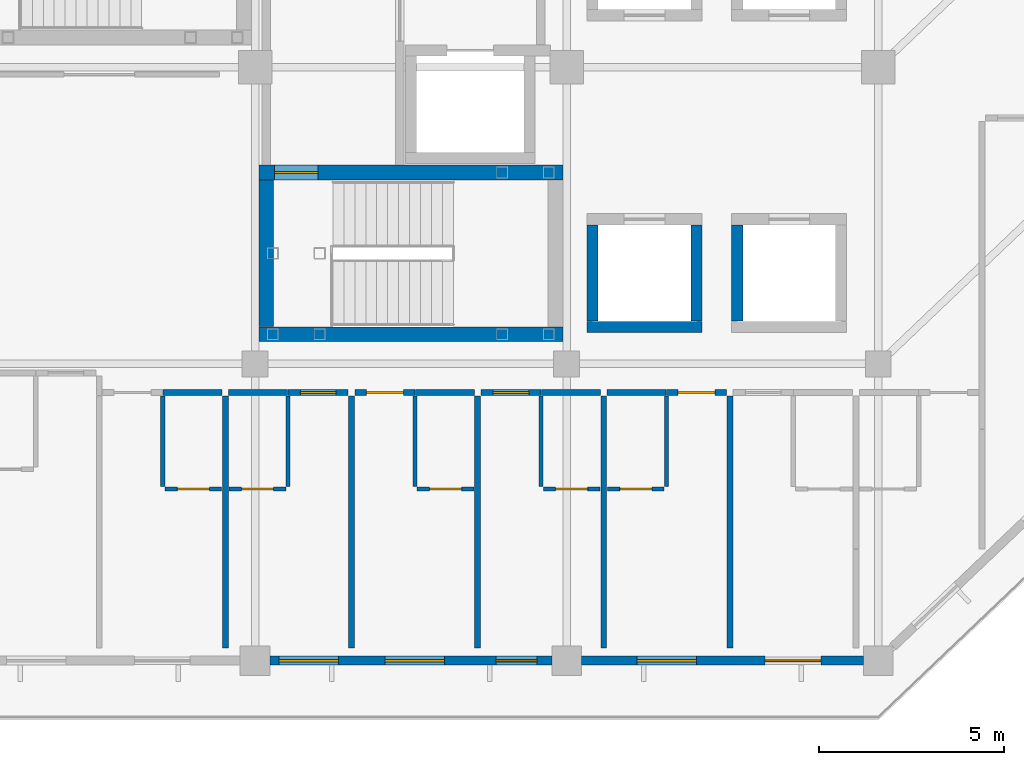
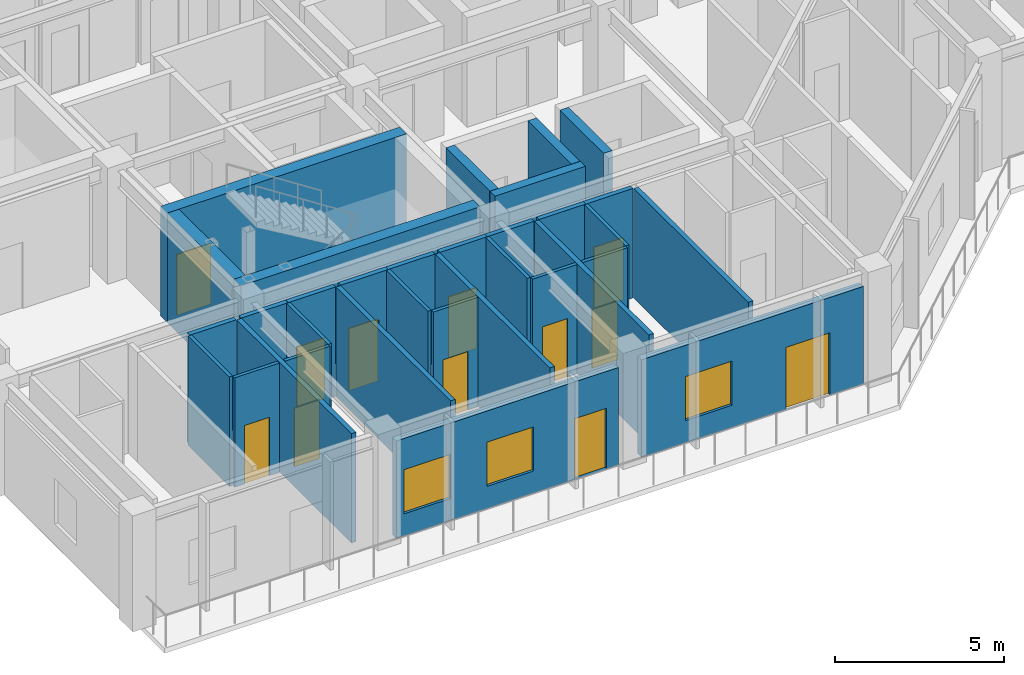
# One storey, part 8 of 22: 33 walls, 12 doors, 3 windows, 15 openings.
"""IFC4 building model written with IfcOpenShell, lengths in metres."""

from ifc_helpers import new_model, si_unit, direction, frame, frame_2d, origin, place, context, subcontext, project, spatial, rectangle, extrude, material, layer, layer_set, type_object, element, fill, save


model = new_model("IFC4")

# Units and contexts
model_context = context("Model", 3, precision=1e-05, world=origin(), true_north=direction((0.0, 1.0)))
body_context = subcontext(model_context, "Body", "Model", "MODEL_VIEW")
ifc_project = project(units=[si_unit("LENGTHUNIT", "METRE"), si_unit("AREAUNIT", "SQUARE_METRE"), si_unit("VOLUMEUNIT", "CUBIC_METRE"), si_unit("PLANEANGLEUNIT", "RADIAN"), si_unit("MASSUNIT", "GRAM", prefix="KILO")], contexts=[model_context])

# Site, building, storey
site_placement = place(None, origin())
site = spatial("IfcSite", under=ifc_project, at=site_placement, CompositionType="ELEMENT")
building_placement = place(site_placement, origin())
building = spatial("IfcBuilding", under=site, at=building_placement, Name="Naruveol Harbour Congress Hotel", CompositionType="ELEMENT")
storey_placement = place(building_placement, frame((0.0, 0.0, 21.0)))
storey = spatial("IfcBuildingStorey", under=building, at=storey_placement, Name="L04", CompositionType="ELEMENT", Elevation=21.0)

# Wall
ifc_material_1 = material(Name="Moisture-Resistant Gypsum Partition", Category="gypsum")
ifc_layer_1 = layer(ifc_material_1, 0.114990234375)
ifc_layer_set_1 = layer_set([ifc_layer_1], Name="Moisture-Resistant Gypsum Partition")
wall_type_1 = type_object("IfcWallType", Name="BATHROOM MOISTURE PARTITION WALL 115", PredefinedType="PARTITIONING", material=ifc_layer_set_1)
wall_1_placement = place(storey_placement, frame((123.510009765625, 4.68994140625, 0.0), z_axis=(0.0, 0.0, 1.0), x_axis=(0.0, 1.0, 0.0)))
element("IfcWall", 1, at=wall_1_placement, inside=storey, type_object=wall_type_1, Name="Bathroom west wall 0578 PW-115", PredefinedType="PARTITIONING", context=body_context, shape_type="SweptSolid", body=[
    extrude(rectangle(XDim=2.449951171875, YDim=0.114990234375, at=frame_2d((1.22509765625, 0.0))), origin(), (0.0, 0.0, 1.0), 3.965087890625),
])

# Wall, opening, door
wall_2_placement = place(storey_placement, frame((123.570068359375, 4.6298828125, 0.0), z_axis=(0.0, 0.0, 1.0), x_axis=(1.0, 0.0, 0.0)))
wall_2 = element("IfcWall", 2, at=wall_2_placement, inside=storey, type_object=wall_type_1, Name="Bathroom south wall 0578 PW-115", PredefinedType="PARTITIONING", context=body_context, shape_type="SweptSolid", body=[
    extrude(rectangle(XDim=1.530029296875, YDim=0.114990234375, at=frame_2d((0.76513671875, 0.0))), origin(), (0.0, 0.0, 1.0), 3.965087890625),
])
opening_1_placement = place(wall_2_placement, frame((0.3349609375, 0.0, 0.0)))
opening_1 = element("IfcOpeningElement", 3, at=opening_1_placement, cuts=wall_2, Name="Opening BD-RM0578", PredefinedType="OPENING", context=body_context, shape_type="SweptSolid", body=[
    extrude(rectangle(XDim=0.860107421875, YDim=2.1201171875, at=frame_2d((0.43017578125, 1.06005859375))), frame((0.0, 0.0673828125, 0.0), z_axis=(0.0, -1.0, 0.0), x_axis=(1.0, 0.0, 0.0)), (0.0, 0.0, 1.0), 0.135009765625),
])
ifc_material_2 = material(Name="Timber & Steel Acoustic Leaf", Category="steel")
door_type_1 = type_object("IfcDoorType", Name="GUEST BATHROOM DOOR 860X2120", OperationType="NOTDEFINED", PredefinedType="DOOR", material=ifc_material_2)
door_1_placement = place(opening_1_placement, origin())
door_1 = element("IfcDoor", 4, at=door_1_placement, inside=storey, type_object=door_type_1, Name="Bathroom Door 0578", OperationType="SINGLE_SWING_RIGHT", OverallHeight=2.1201171875, OverallWidth=0.860107421875, PredefinedType="DOOR", context=body_context, shape_type="SweptSolid", body=[
    extrude(rectangle(XDim=0.860107421875, YDim=2.1201171875, at=frame_2d((0.43017578125, 1.06005859375))), frame((0.0, 0.02490234375, 0.0), z_axis=(0.0, -1.0, 0.0), x_axis=(1.0, 0.0, 0.0)), (0.0, 0.0, 1.0), 0.050048828125),
])
fill(opening_1, door_1)

# Wall
wall_3_placement = place(storey_placement, frame((126.889892578125, 4.68994140625, 0.0), z_axis=(0.0, 0.0, 1.0), x_axis=(0.0, 1.0, 0.0)))
element("IfcWall", 5, at=wall_3_placement, inside=storey, type_object=wall_type_1, Name="Bathroom east wall 0579 PW-115", PredefinedType="PARTITIONING", context=body_context, shape_type="SweptSolid", body=[
    extrude(rectangle(XDim=2.449951171875, YDim=0.114990234375, at=frame_2d((1.22509765625, 0.0))), origin(), (0.0, 0.0, 1.0), 3.965087890625),
])

# Wall, opening, door
wall_4_placement = place(storey_placement, frame((125.300048828125, 4.6298828125, 0.0), z_axis=(0.0, 0.0, 1.0), x_axis=(1.0, 0.0, 0.0)))
wall_4 = element("IfcWall", 6, at=wall_4_placement, inside=storey, type_object=wall_type_1, Name="Bathroom south wall 0579 PW-115", PredefinedType="PARTITIONING", context=body_context, shape_type="SweptSolid", body=[
    extrude(rectangle(XDim=1.530029296875, YDim=0.114990234375, at=frame_2d((0.76513671875, 0.0))), origin(), (0.0, 0.0, 1.0), 3.965087890625),
])
opening_2_placement = place(wall_4_placement, frame((0.3349609375, 0.0, 0.0)))
opening_2 = element("IfcOpeningElement", 7, at=opening_2_placement, cuts=wall_4, Name="Opening BD-RM0579", PredefinedType="OPENING", context=body_context, shape_type="SweptSolid", body=[
    extrude(rectangle(XDim=0.860107421875, YDim=2.1201171875, at=frame_2d((0.43017578125, 1.06005859375))), frame((0.0, 0.0673828125, 0.0), z_axis=(0.0, -1.0, 0.0), x_axis=(1.0, 0.0, 0.0)), (0.0, 0.0, 1.0), 0.135009765625),
])
door_2_placement = place(opening_2_placement, origin())
door_2 = element("IfcDoor", 8, at=door_2_placement, inside=storey, type_object=door_type_1, Name="Bathroom Door 0579", OperationType="SINGLE_SWING_RIGHT", OverallHeight=2.1201171875, OverallWidth=0.860107421875, PredefinedType="DOOR", context=body_context, shape_type="SweptSolid", body=[
    extrude(rectangle(XDim=0.860107421875, YDim=2.1201171875, at=frame_2d((0.43017578125, 1.06005859375))), frame((0.0, 0.02490234375, 0.0), z_axis=(0.0, -1.0, 0.0), x_axis=(1.0, 0.0, 0.0)), (0.0, 0.0, 1.0), 0.050048828125),
])
fill(opening_2, door_2)

# Wall
wall_5_placement = place(storey_placement, frame((130.31005859375, 4.68994140625, 0.0), z_axis=(0.0, 0.0, 1.0), x_axis=(0.0, 1.0, 0.0)))
element("IfcWall", 9, at=wall_5_placement, inside=storey, type_object=wall_type_1, Name="Bathroom west wall 0580 PW-115", PredefinedType="PARTITIONING", context=body_context, shape_type="SweptSolid", body=[
    extrude(rectangle(XDim=2.449951171875, YDim=0.114990234375, at=frame_2d((1.22509765625, 0.0))), origin(), (0.0, 0.0, 1.0), 3.965087890625),
])

# Wall, opening, door
wall_6_placement = place(storey_placement, frame((130.3701171875, 4.6298828125, 0.0), z_axis=(0.0, 0.0, 1.0), x_axis=(1.0, 0.0, 0.0)))
wall_6 = element("IfcWall", 10, at=wall_6_placement, inside=storey, type_object=wall_type_1, Name="Bathroom south wall 0580 PW-115", PredefinedType="PARTITIONING", context=body_context, shape_type="SweptSolid", body=[
    extrude(rectangle(XDim=1.52978515625, YDim=0.114990234375, at=frame_2d((0.764892578125, 0.0))), origin(), (0.0, 0.0, 1.0), 3.965087890625),
])
opening_3_placement = place(wall_6_placement, frame((0.3349609375, 0.0, 0.0)))
opening_3 = element("IfcOpeningElement", 11, at=opening_3_placement, cuts=wall_6, Name="Opening BD-RM0580", PredefinedType="OPENING", context=body_context, shape_type="SweptSolid", body=[
    extrude(rectangle(XDim=0.860107421875, YDim=2.1201171875, at=frame_2d((0.43017578125, 1.06005859375))), frame((0.0, 0.0673828125, 0.0), z_axis=(0.0, -1.0, 0.0), x_axis=(1.0, 0.0, 0.0)), (0.0, 0.0, 1.0), 0.135009765625),
])
door_3_placement = place(opening_3_placement, origin())
door_3 = element("IfcDoor", 12, at=door_3_placement, inside=storey, type_object=door_type_1, Name="Bathroom Door 0580", OperationType="SINGLE_SWING_RIGHT", OverallHeight=2.1201171875, OverallWidth=0.860107421875, PredefinedType="DOOR", context=body_context, shape_type="SweptSolid", body=[
    extrude(rectangle(XDim=0.860107421875, YDim=2.1201171875, at=frame_2d((0.43017578125, 1.06005859375))), frame((0.0, 0.02490234375, 0.0), z_axis=(0.0, -1.0, 0.0), x_axis=(1.0, 0.0, 0.0)), (0.0, 0.0, 1.0), 0.050048828125),
])
fill(opening_3, door_3)

# Wall
wall_7_placement = place(storey_placement, frame((133.7099609375, 4.68994140625, 0.0), z_axis=(0.0, 0.0, 1.0), x_axis=(0.0, 1.0, 0.0)))
element("IfcWall", 13, at=wall_7_placement, inside=storey, type_object=wall_type_1, Name="Bathroom west wall 0581 PW-115", PredefinedType="PARTITIONING", context=body_context, shape_type="SweptSolid", body=[
    extrude(rectangle(XDim=2.449951171875, YDim=0.114990234375, at=frame_2d((1.22509765625, 0.0))), origin(), (0.0, 0.0, 1.0), 3.965087890625),
])

# Wall, opening, door
wall_8_placement = place(storey_placement, frame((133.77001953125, 4.6298828125, 0.0), z_axis=(0.0, 0.0, 1.0), x_axis=(1.0, 0.0, 0.0)))
wall_8 = element("IfcWall", 14, at=wall_8_placement, inside=storey, type_object=wall_type_1, Name="Bathroom south wall 0581 PW-115", PredefinedType="PARTITIONING", context=body_context, shape_type="SweptSolid", body=[
    extrude(rectangle(XDim=1.530029296875, YDim=0.114990234375, at=frame_2d((0.76513671875, 0.0))), origin(), (0.0, 0.0, 1.0), 3.965087890625),
])
opening_4_placement = place(wall_8_placement, frame((0.3349609375, 0.0, 0.0)))
opening_4 = element("IfcOpeningElement", 15, at=opening_4_placement, cuts=wall_8, Name="Opening BD-RM0581", PredefinedType="OPENING", context=body_context, shape_type="SweptSolid", body=[
    extrude(rectangle(XDim=0.860107421875, YDim=2.1201171875, at=frame_2d((0.43017578125, 1.06005859375))), frame((0.0, 0.0673828125, 0.0), z_axis=(0.0, -1.0, 0.0), x_axis=(1.0, 0.0, 0.0)), (0.0, 0.0, 1.0), 0.135009765625),
])
door_4_placement = place(opening_4_placement, origin())
door_4 = element("IfcDoor", 16, at=door_4_placement, inside=storey, type_object=door_type_1, Name="Bathroom Door 0581", OperationType="SINGLE_SWING_RIGHT", OverallHeight=2.1201171875, OverallWidth=0.860107421875, PredefinedType="DOOR", context=body_context, shape_type="SweptSolid", body=[
    extrude(rectangle(XDim=0.860107421875, YDim=2.1201171875, at=frame_2d((0.43017578125, 1.06005859375))), frame((0.0, 0.02490234375, 0.0), z_axis=(0.0, -1.0, 0.0), x_axis=(1.0, 0.0, 0.0)), (0.0, 0.0, 1.0), 0.050048828125),
])
fill(opening_4, door_4)

# Wall
wall_9_placement = place(storey_placement, frame((137.090087890625, 4.68994140625, 0.0), z_axis=(0.0, 0.0, 1.0), x_axis=(0.0, 1.0, 0.0)))
element("IfcWall", 17, at=wall_9_placement, inside=storey, type_object=wall_type_1, Name="Bathroom east wall 0582 PW-115", PredefinedType="PARTITIONING", context=body_context, shape_type="SweptSolid", body=[
    extrude(rectangle(XDim=2.449951171875, YDim=0.114990234375, at=frame_2d((1.22509765625, 0.0))), origin(), (0.0, 0.0, 1.0), 3.965087890625),
])

# Wall, opening, door
wall_10_placement = place(storey_placement, frame((135.5, 4.6298828125, 0.0), z_axis=(0.0, 0.0, 1.0), x_axis=(1.0, 0.0, 0.0)))
wall_10 = element("IfcWall", 18, at=wall_10_placement, inside=storey, type_object=wall_type_1, Name="Bathroom south wall 0582 PW-115", PredefinedType="PARTITIONING", context=body_context, shape_type="SweptSolid", body=[
    extrude(rectangle(XDim=1.530029296875, YDim=0.114990234375, at=frame_2d((0.76513671875, 0.0))), origin(), (0.0, 0.0, 1.0), 3.965087890625),
])
opening_5_placement = place(wall_10_placement, frame((0.3349609375, 0.0, 0.0)))
opening_5 = element("IfcOpeningElement", 19, at=opening_5_placement, cuts=wall_10, Name="Opening BD-RM0582", PredefinedType="OPENING", context=body_context, shape_type="SweptSolid", body=[
    extrude(rectangle(XDim=0.860107421875, YDim=2.1201171875, at=frame_2d((0.43017578125, 1.06005859375))), frame((0.0, 0.0673828125, 0.0), z_axis=(0.0, -1.0, 0.0), x_axis=(1.0, 0.0, 0.0)), (0.0, 0.0, 1.0), 0.135009765625),
])
door_5_placement = place(opening_5_placement, origin())
door_5 = element("IfcDoor", 20, at=door_5_placement, inside=storey, type_object=door_type_1, Name="Bathroom Door 0582", OperationType="SINGLE_SWING_RIGHT", OverallHeight=2.1201171875, OverallWidth=0.860107421875, PredefinedType="DOOR", context=body_context, shape_type="SweptSolid", body=[
    extrude(rectangle(XDim=0.860107421875, YDim=2.1201171875, at=frame_2d((0.43017578125, 1.06005859375))), frame((0.0, 0.02490234375, 0.0), z_axis=(0.0, -1.0, 0.0), x_axis=(1.0, 0.0, 0.0)), (0.0, 0.0, 1.0), 0.050048828125),
])
fill(opening_5, door_5)

# Walls
ifc_material_3 = material(Name="Autoclaved Aerated Concrete Block", Category="concrete")
ifc_layer_2 = layer(ifc_material_3, 0.159912109375)
ifc_layer_set_2 = layer_set([ifc_layer_2], Name="Autoclaved Aerated Concrete Block")
wall_type_2 = type_object("IfcWallType", Name="HOTEL PARTY AND CORRIDOR WALL 160 EI60", PredefinedType="PARTITIONING", material=ifc_layer_set_2)
wall_11_placement = place(storey_placement, frame((123.52001953125, 7.22998046875, 0.0), z_axis=(0.0, 0.0, 1.0), x_axis=(1.0, 0.0, 0.0)))
element("IfcWall", 21, at=wall_11_placement, inside=storey, type_object=wall_type_2, Name="Corridor wall 0578B PW-160", PredefinedType="PARTITIONING", context=body_context, shape_type="SweptSolid", body=[
    extrude(rectangle(XDim=1.590087890625, YDim=0.159912109375, at=frame_2d((0.794921875, 0.0))), origin(), (0.0, 0.0, 1.0), 3.965087890625),
])
wall_12_placement = place(storey_placement, frame((125.2900390625, 7.22998046875, 0.0), z_axis=(0.0, 0.0, 1.0), x_axis=(1.0, 0.0, 0.0)))
element("IfcWall", 22, at=wall_12_placement, inside=storey, type_object=wall_type_2, Name="Corridor wall 0579B PW-160", PredefinedType="PARTITIONING", context=body_context, shape_type="SweptSolid", body=[
    extrude(rectangle(XDim=1.58984375, YDim=0.159912109375, at=frame_2d((0.794921875, 0.0))), origin(), (0.0, 0.0, 1.0), 3.965087890625),
])

# Wall, opening, door
wall_13_placement = place(storey_placement, frame((126.889892578125, 7.22998046875, 0.0), z_axis=(0.0, 0.0, 1.0), x_axis=(1.0, 0.0, 0.0)))
wall_13 = element("IfcWall", 23, at=wall_13_placement, inside=storey, type_object=wall_type_2, Name="Corridor entry wall 0579 PW-160", PredefinedType="PARTITIONING", context=body_context, shape_type="SweptSolid", body=[
    extrude(rectangle(XDim=1.6201171875, YDim=0.159912109375, at=frame_2d((0.81005859375, 0.0))), origin(), (0.0, 0.0, 1.0), 3.965087890625),
])
opening_6_placement = place(wall_13_placement, frame((0.330078125, 0.0, 0.0)))
opening_6 = element("IfcOpeningElement", 24, at=opening_6_placement, cuts=wall_13, Name="Opening FD-RM0579", PredefinedType="OPENING", context=body_context, shape_type="SweptSolid", body=[
    extrude(rectangle(XDim=0.9599609375, YDim=2.199951171875, at=frame_2d((0.47998046875, 1.10009765625))), frame((0.0, 0.08984375, 0.0), z_axis=(0.0, -1.0, 0.0), x_axis=(1.0, 0.0, 0.0)), (0.0, 0.0, 1.0), 0.179931640625),
])
ifc_material_4 = material(Name="Timber & Steel Acoustic Leaf", Category="steel")
door_type_2 = type_object("IfcDoorType", Name="GUEST ROOM ENTRANCE FIRE DOOR 960X2200", OperationType="NOTDEFINED", PredefinedType="DOOR", material=ifc_material_4)
door_6_placement = place(opening_6_placement, origin())
door_6 = element("IfcDoor", 25, at=door_6_placement, inside=storey, type_object=door_type_2, Name="Hotel Room Door 0579", OperationType="SINGLE_SWING_LEFT", OverallHeight=2.199951171875, OverallWidth=0.9599609375, PredefinedType="DOOR", context=body_context, shape_type="SweptSolid", body=[
    extrude(rectangle(XDim=0.9599609375, YDim=2.199951171875, at=frame_2d((0.47998046875, 1.10009765625))), frame((0.0, 0.02490234375, 0.0), z_axis=(0.0, -1.0, 0.0), x_axis=(1.0, 0.0, 0.0)), (0.0, 0.0, 1.0), 0.050048828125),
])
fill(opening_6, door_6)

# Wall
wall_14_placement = place(storey_placement, frame((125.199951171875, 0.340087890625, 0.0), z_axis=(0.0, 0.0, 1.0), x_axis=(0.0, 1.0, 0.0)))
element("IfcWall", 26, at=wall_14_placement, inside=storey, type_object=wall_type_2, Name="Hotel party wall 0579 PW-160", PredefinedType="PARTITIONING", context=body_context, shape_type="SweptSolid", body=[
    extrude(rectangle(XDim=6.7998046875, YDim=0.159912109375, at=frame_2d((3.39990234375, 0.0))), origin(), (0.0, 0.0, 1.0), 3.965087890625),
])

# Wall, opening, door
wall_15_placement = place(storey_placement, frame((128.68994140625, 7.22998046875, 0.0), z_axis=(0.0, 0.0, 1.0), x_axis=(1.0, 0.0, 0.0)))
wall_15 = element("IfcWall", 27, at=wall_15_placement, inside=storey, type_object=wall_type_2, Name="Corridor entry wall 0580 PW-160", PredefinedType="PARTITIONING", context=body_context, shape_type="SweptSolid", body=[
    extrude(rectangle(XDim=1.6201171875, YDim=0.159912109375, at=frame_2d((0.81005859375, 0.0))), origin(), (0.0, 0.0, 1.0), 3.965087890625),
])
opening_7_placement = place(wall_15_placement, frame((0.31005859375, 0.0, 0.0)))
opening_7 = element("IfcOpeningElement", 28, at=opening_7_placement, cuts=wall_15, Name="Opening FD-RM0580", PredefinedType="OPENING", context=body_context, shape_type="SweptSolid", body=[
    extrude(rectangle(XDim=1.0, YDim=2.25, at=frame_2d((0.5, 1.125))), frame((0.0, 0.08984375, 0.0), z_axis=(0.0, -1.0, 0.0), x_axis=(1.0, 0.0, 0.0)), (0.0, 0.0, 1.0), 0.179931640625),
])
ifc_material_5 = material(Name="Timber & Steel Acoustic Leaf", Category="steel")
door_type_3 = type_object("IfcDoorType", Name="DELUXE GUEST ENTRANCE FIRE DOOR 1000X2250", OperationType="NOTDEFINED", PredefinedType="DOOR", material=ifc_material_5)
door_7_placement = place(opening_7_placement, origin())
door_7 = element("IfcDoor", 29, at=door_7_placement, inside=storey, type_object=door_type_3, Name="Hotel Room Door 0580", OperationType="SINGLE_SWING_LEFT", OverallHeight=2.25, OverallWidth=1.0, PredefinedType="DOOR", context=body_context, shape_type="SweptSolid", body=[
    extrude(rectangle(XDim=1.0, YDim=2.25, at=frame_2d((0.5, 1.125))), frame((0.0, 0.02490234375, 0.0), z_axis=(0.0, -1.0, 0.0), x_axis=(1.0, 0.0, 0.0)), (0.0, 0.0, 1.0), 0.050048828125),
])
fill(opening_7, door_7)

# Walls
wall_16_placement = place(storey_placement, frame((130.320068359375, 7.22998046875, 0.0), z_axis=(0.0, 0.0, 1.0), x_axis=(1.0, 0.0, 0.0)))
element("IfcWall", 30, at=wall_16_placement, inside=storey, type_object=wall_type_2, Name="Corridor wall 0580B PW-160", PredefinedType="PARTITIONING", context=body_context, shape_type="SweptSolid", body=[
    extrude(rectangle(XDim=1.58984375, YDim=0.159912109375, at=frame_2d((0.794921875, 0.0))), origin(), (0.0, 0.0, 1.0), 3.965087890625),
])
wall_17_placement = place(storey_placement, frame((128.60009765625, 0.340087890625, 0.0), z_axis=(0.0, 0.0, 1.0), x_axis=(0.0, 1.0, 0.0)))
element("IfcWall", 31, at=wall_17_placement, inside=storey, type_object=wall_type_2, Name="Hotel party wall 0580 PW-160", PredefinedType="PARTITIONING", context=body_context, shape_type="SweptSolid", body=[
    extrude(rectangle(XDim=6.7998046875, YDim=0.159912109375, at=frame_2d((3.39990234375, 0.0))), origin(), (0.0, 0.0, 1.0), 3.965087890625),
])

# Wall, opening, door
wall_18_placement = place(storey_placement, frame((132.090087890625, 7.22998046875, 0.0), z_axis=(0.0, 0.0, 1.0), x_axis=(1.0, 0.0, 0.0)))
wall_18 = element("IfcWall", 32, at=wall_18_placement, inside=storey, type_object=wall_type_2, Name="Corridor entry wall 0581 PW-160", PredefinedType="PARTITIONING", context=body_context, shape_type="SweptSolid", body=[
    extrude(rectangle(XDim=1.619873046875, YDim=0.159912109375, at=frame_2d((0.81005859375, 0.0))), origin(), (0.0, 0.0, 1.0), 3.965087890625),
])
opening_8_placement = place(wall_18_placement, frame((0.330078125, 0.0, 0.0)))
opening_8 = element("IfcOpeningElement", 33, at=opening_8_placement, cuts=wall_18, Name="Opening FD-RM0581", PredefinedType="OPENING", context=body_context, shape_type="SweptSolid", body=[
    extrude(rectangle(XDim=0.9599609375, YDim=2.199951171875, at=frame_2d((0.47998046875, 1.10009765625))), frame((0.0, 0.08984375, 0.0), z_axis=(0.0, -1.0, 0.0), x_axis=(1.0, 0.0, 0.0)), (0.0, 0.0, 1.0), 0.179931640625),
])
door_8_placement = place(opening_8_placement, origin())
door_8 = element("IfcDoor", 34, at=door_8_placement, inside=storey, type_object=door_type_2, Name="Hotel Room Door 0581", OperationType="SINGLE_SWING_LEFT", OverallHeight=2.199951171875, OverallWidth=0.9599609375, PredefinedType="DOOR", context=body_context, shape_type="SweptSolid", body=[
    extrude(rectangle(XDim=0.9599609375, YDim=2.199951171875, at=frame_2d((0.47998046875, 1.10009765625))), frame((0.0, 0.02490234375, 0.0), z_axis=(0.0, -1.0, 0.0), x_axis=(1.0, 0.0, 0.0)), (0.0, 0.0, 1.0), 0.050048828125),
])
fill(opening_8, door_8)

# Walls
wall_19_placement = place(storey_placement, frame((133.719970703125, 7.22998046875, 0.0), z_axis=(0.0, 0.0, 1.0), x_axis=(1.0, 0.0, 0.0)))
element("IfcWall", 35, at=wall_19_placement, inside=storey, type_object=wall_type_2, Name="Corridor wall 0581B PW-160", PredefinedType="PARTITIONING", context=body_context, shape_type="SweptSolid", body=[
    extrude(rectangle(XDim=1.590087890625, YDim=0.159912109375, at=frame_2d((0.794921875, 0.0))), origin(), (0.0, 0.0, 1.0), 3.965087890625),
])
wall_20_placement = place(storey_placement, frame((132.0, 0.340087890625, 0.0), z_axis=(0.0, 0.0, 1.0), x_axis=(0.0, 1.0, 0.0)))
element("IfcWall", 36, at=wall_20_placement, inside=storey, type_object=wall_type_2, Name="Hotel party wall 0581 PW-160", PredefinedType="PARTITIONING", context=body_context, shape_type="SweptSolid", body=[
    extrude(rectangle(XDim=6.7998046875, YDim=0.159912109375, at=frame_2d((3.39990234375, 0.0))), origin(), (0.0, 0.0, 1.0), 3.965087890625),
])
wall_21_placement = place(storey_placement, frame((135.489990234375, 7.22998046875, 0.0), z_axis=(0.0, 0.0, 1.0), x_axis=(1.0, 0.0, 0.0)))
element("IfcWall", 37, at=wall_21_placement, inside=storey, type_object=wall_type_2, Name="Corridor wall 0582B PW-160", PredefinedType="PARTITIONING", context=body_context, shape_type="SweptSolid", body=[
    extrude(rectangle(XDim=1.590087890625, YDim=0.159912109375, at=frame_2d((0.794921875, 0.0))), origin(), (0.0, 0.0, 1.0), 3.965087890625),
])

# Wall, opening, door
wall_22_placement = place(storey_placement, frame((137.090087890625, 7.22998046875, 0.0), z_axis=(0.0, 0.0, 1.0), x_axis=(1.0, 0.0, 0.0)))
wall_22 = element("IfcWall", 38, at=wall_22_placement, inside=storey, type_object=wall_type_2, Name="Corridor entry wall 0582 PW-160", PredefinedType="PARTITIONING", context=body_context, shape_type="SweptSolid", body=[
    extrude(rectangle(XDim=1.619873046875, YDim=0.159912109375, at=frame_2d((0.81005859375, 0.0))), origin(), (0.0, 0.0, 1.0), 3.965087890625),
])
opening_9_placement = place(wall_22_placement, frame((0.31005859375, 0.0, 0.0)))
opening_9 = element("IfcOpeningElement", 39, at=opening_9_placement, cuts=wall_22, Name="Opening FD-RM0582", PredefinedType="OPENING", context=body_context, shape_type="SweptSolid", body=[
    extrude(rectangle(XDim=1.0, YDim=2.25, at=frame_2d((0.5, 1.125))), frame((0.0, 0.08984375, 0.0), z_axis=(0.0, -1.0, 0.0), x_axis=(1.0, 0.0, 0.0)), (0.0, 0.0, 1.0), 0.179931640625),
])
door_9_placement = place(opening_9_placement, origin())
door_9 = element("IfcDoor", 40, at=door_9_placement, inside=storey, type_object=door_type_3, Name="Hotel Room Door 0582", OperationType="SINGLE_SWING_LEFT", OverallHeight=2.25, OverallWidth=1.0, PredefinedType="DOOR", context=body_context, shape_type="SweptSolid", body=[
    extrude(rectangle(XDim=1.0, YDim=2.25, at=frame_2d((0.5, 1.125))), frame((0.0, 0.02490234375, 0.0), z_axis=(0.0, -1.0, 0.0), x_axis=(1.0, 0.0, 0.0)), (0.0, 0.0, 1.0), 0.050048828125),
])
fill(opening_9, door_9)

# Walls
for number, where, z_axis, x_axis, name in (
    (41, (135.39990234375, 0.340087890625, 0.0), (0.0, 0.0, 1.0), (0.0, 1.0, 0.0), "Hotel party wall 0582 PW-160"),
    (42, (138.800048828125, 0.340087890625, 0.0), (0.0, 0.0, 1.0), (0.0, 1.0, 0.0), "Hotel party wall 0583 PW-160"),
):
    element("IfcWall", number, at=place(storey_placement, frame(where, z_axis=z_axis, x_axis=x_axis)), inside=storey, type_object=wall_type_2, Name=name, PredefinedType="PARTITIONING", context=body_context, shape_type="SweptSolid", body=[
        extrude(rectangle(XDim=6.7998046875, YDim=0.159912109375, at=frame_2d((3.39990234375, 0.0))), origin(), (0.0, 0.0, 1.0), 3.965087890625),
    ])

# Wall, openings, windows, door
ifc_material_6 = material(Name="Concrete C40/50", Category="concrete")
ifc_layer_3 = layer(ifc_material_6, 0.239990234375)
ifc_layer_set_3 = layer_set([ifc_layer_3], Name="Concrete C40/50")
wall_type_3 = type_object("IfcWallType", Name="INSULATED HOTEL SPANDREL WALL 240", PredefinedType="SOLIDWALL", material=ifc_layer_set_3)
wall_23_placement = place(storey_placement, frame((134.0, 0.0, 0.0), z_axis=(0.0, 0.0, 1.0), x_axis=(-1.0, 0.0, 0.0)))
wall_23 = element("IfcWall", 43, at=wall_23_placement, inside=storey, type_object=wall_type_3, Name="Hotel south waterfront wall L04 EW-240", PredefinedType="SOLIDWALL", context=body_context, shape_type="SweptSolid", body=[
    extrude(rectangle(XDim=7.60009765625, YDim=0.239990234375, at=frame_2d((3.800048828125, 0.0))), origin(), (0.0, 0.0, 1.0), 3.530029296875),
])
opening_10_placement = place(wall_23_placement, frame((0.39990234375, 0.0, 0.0)))
opening_10 = element("IfcOpeningElement", 44, at=opening_10_placement, cuts=wall_23, Name="Opening BD-110-031", PredefinedType="OPENING", context=body_context, shape_type="SweptSolid", body=[
    extrude(rectangle(XDim=1.10009765625, YDim=2.199951171875, at=frame_2d((0.550048828125, 1.10009765625))), frame((0.0, 0.1298828125, 0.0), z_axis=(0.0, -1.0, 0.0), x_axis=(1.0, 0.0, 0.0)), (0.0, 0.0, 1.0), 0.260009765625),
])
opening_11_placement = place(wall_23_placement, frame((2.89990234375, 0.0, 0.800048828125)))
opening_11 = element("IfcOpeningElement", 45, at=opening_11_placement, cuts=wall_23, Name="Opening W-03", PredefinedType="OPENING", context=body_context, shape_type="SweptSolid", body=[
    extrude(rectangle(XDim=1.60009765625, YDim=1.60009765625, at=frame_2d((0.800048828125, 0.800048828125))), frame((0.0, 0.1298828125, 0.0), z_axis=(0.0, -1.0, 0.0), x_axis=(1.0, 0.0, 0.0)), (0.0, 0.0, 1.0), 0.260009765625),
])
opening_12_placement = place(wall_23_placement, frame((5.75, 0.0, 0.800048828125)))
opening_12 = element("IfcOpeningElement", 46, at=opening_12_placement, cuts=wall_23, Name="Opening W-03", PredefinedType="OPENING", context=body_context, shape_type="SweptSolid", body=[
    extrude(rectangle(XDim=1.60009765625, YDim=1.60009765625, at=frame_2d((0.800048828125, 0.800048828125))), frame((0.0, 0.1298828125, 0.0), z_axis=(0.0, -1.0, 0.0), x_axis=(1.0, 0.0, 0.0)), (0.0, 0.0, 1.0), 0.260009765625),
])
ifc_material_7 = material(Name="Low-E Triple Glazing in Thermal Aluminium", Category="aluminium")
window_type = type_object("IfcWindowType", Name="DELUXE GUEST WINDOW 1600X1600", PartitioningType="SINGLE_PANEL", PredefinedType="WINDOW", material=ifc_material_7)
window_1_placement = place(opening_11_placement, origin())
window_1 = element("IfcWindow", 47, at=window_1_placement, inside=storey, type_object=window_type, Name="Window W-03 #273", OverallHeight=1.60009765625, OverallWidth=1.60009765625, PartitioningType="SINGLE_PANEL", PredefinedType="WINDOW", context=body_context, shape_type="SweptSolid", body=[
    extrude(rectangle(XDim=1.60009765625, YDim=1.60009765625, at=frame_2d((0.800048828125, 0.800048828125))), frame((0.0, 0.030029296875, 0.0), z_axis=(0.0, -1.0, 0.0), x_axis=(1.0, 0.0, 0.0)), (0.0, 0.0, 1.0), 0.06005859375),
])
fill(opening_11, window_1)
window_2_placement = place(opening_12_placement, origin())
window_2 = element("IfcWindow", 48, at=window_2_placement, inside=storey, type_object=window_type, Name="Window W-03 #274", OverallHeight=1.60009765625, OverallWidth=1.60009765625, PartitioningType="SINGLE_PANEL", PredefinedType="WINDOW", context=body_context, shape_type="SweptSolid", body=[
    extrude(rectangle(XDim=1.60009765625, YDim=1.60009765625, at=frame_2d((0.800048828125, 0.800048828125))), frame((0.0, 0.030029296875, 0.0), z_axis=(0.0, -1.0, 0.0), x_axis=(1.0, 0.0, 0.0)), (0.0, 0.0, 1.0), 0.06005859375),
])
fill(opening_12, window_2)
ifc_material_8 = material(Name="Powder-Coated Steel & Insulated Glazing", Category="steel")
door_type_4 = type_object("IfcDoorType", Name="HOTEL BALCONY GLAZED DOOR 1100X2200", OperationType="NOTDEFINED", PredefinedType="DOOR", material=ifc_material_8)
door_10_placement = place(opening_10_placement, origin())
door_10 = element("IfcDoor", 49, at=door_10_placement, inside=storey, type_object=door_type_4, Name="Exterior door BD-110-031", OperationType="SINGLE_SWING_RIGHT", OverallHeight=2.199951171875, OverallWidth=1.10009765625, PredefinedType="DOOR", context=body_context, shape_type="SweptSolid", body=[
    extrude(rectangle(XDim=1.10009765625, YDim=2.199951171875, at=frame_2d((0.550048828125, 1.10009765625))), frame((0.0, 0.02490234375, 0.0), z_axis=(0.0, -1.0, 0.0), x_axis=(1.0, 0.0, 0.0)), (0.0, 0.0, 1.0), 0.050048828125),
])
fill(opening_10, door_10)

# Wall, openings, window, door
wall_24_placement = place(storey_placement, frame((142.39990234375, 0.0, 0.0), z_axis=(0.0, 0.0, 1.0), x_axis=(-1.0, 0.0, 0.0)))
wall_24 = element("IfcWall", 50, at=wall_24_placement, inside=storey, type_object=wall_type_3, Name="Hotel south waterfront wall L04 EW-240", PredefinedType="SOLIDWALL", context=body_context, shape_type="SweptSolid", body=[
    extrude(rectangle(XDim=7.599853515625, YDim=0.239990234375, at=frame_2d((3.7998046875, 0.0))), origin(), (0.0, 0.0, 1.0), 3.530029296875),
])
opening_13_placement = place(wall_24_placement, frame((1.14990234375, 0.0, 0.0)))
opening_13 = element("IfcOpeningElement", 51, at=opening_13_placement, cuts=wall_24, Name="Opening BD-150-032", PredefinedType="OPENING", context=body_context, shape_type="SweptSolid", body=[
    extrude(rectangle(XDim=1.5, YDim=2.25, at=frame_2d((0.75, 1.125))), frame((0.0, 0.1298828125, 0.0), z_axis=(0.0, -1.0, 0.0), x_axis=(1.0, 0.0, 0.0)), (0.0, 0.0, 1.0), 0.260009765625),
])
opening_14_placement = place(wall_24_placement, frame((4.5, 0.0, 0.800048828125)))
opening_14 = element("IfcOpeningElement", 52, at=opening_14_placement, cuts=wall_24, Name="Opening W-03", PredefinedType="OPENING", context=body_context, shape_type="SweptSolid", body=[
    extrude(rectangle(XDim=1.60009765625, YDim=1.60009765625, at=frame_2d((0.800048828125, 0.800048828125))), frame((0.0, 0.1298828125, 0.0), z_axis=(0.0, -1.0, 0.0), x_axis=(1.0, 0.0, 0.0)), (0.0, 0.0, 1.0), 0.260009765625),
])
window_3_placement = place(opening_14_placement, origin())
window_3 = element("IfcWindow", 53, at=window_3_placement, inside=storey, type_object=window_type, Name="Window W-03 #278", OverallHeight=1.60009765625, OverallWidth=1.60009765625, PartitioningType="SINGLE_PANEL", PredefinedType="WINDOW", context=body_context, shape_type="SweptSolid", body=[
    extrude(rectangle(XDim=1.60009765625, YDim=1.60009765625, at=frame_2d((0.800048828125, 0.800048828125))), frame((0.0, 0.030029296875, 0.0), z_axis=(0.0, -1.0, 0.0), x_axis=(1.0, 0.0, 0.0)), (0.0, 0.0, 1.0), 0.06005859375),
])
fill(opening_14, window_3)
ifc_material_9 = material(Name="Powder-Coated Steel & Insulated Glazing", Category="steel")
door_type_5 = type_object("IfcDoorType", Name="SUITE BALCONY SLIDING DOOR 1500X2250", OperationType="SLIDING_TO_LEFT", PredefinedType="DOOR", material=ifc_material_9)
door_11_placement = place(opening_13_placement, origin())
door_11 = element("IfcDoor", 54, at=door_11_placement, inside=storey, type_object=door_type_5, Name="Exterior door BD-150-032", OperationType="SLIDING_TO_LEFT", OverallHeight=2.25, OverallWidth=1.5, PredefinedType="DOOR", context=body_context, shape_type="SweptSolid", body=[
    extrude(rectangle(XDim=1.5, YDim=2.25, at=frame_2d((0.75, 1.125))), frame((0.0, 0.02490234375, 0.0), z_axis=(0.0, -1.0, 0.0), x_axis=(1.0, 0.0, 0.0)), (0.0, 0.0, 1.0), 0.050048828125),
])
fill(opening_13, door_11)

# Wall
ifc_material_10 = material(Name="Concrete C50/60", Category="concrete")
ifc_layer_4 = layer(ifc_material_10, 0.39990234375)
ifc_layer_set_4 = layer_set([ifc_layer_4], Name="Concrete C50/60")
wall_type_4 = type_object("IfcWallType", Name="RC CORE SHEAR WALL 400 EI120", PredefinedType="SHEAR", material=ifc_layer_set_4)
wall_25_placement = place(storey_placement, frame((126.10009765625, 8.800048828125, 0.0), z_axis=(0.0, 0.0, 1.0), x_axis=(1.0, 0.0, 0.0)))
element("IfcWall", 55, at=wall_25_placement, inside=storey, type_object=wall_type_4, Name="Stair ST1 south core wall CW-400", PredefinedType="SHEAR", context=body_context, shape_type="SweptSolid", body=[
    extrude(rectangle(XDim=8.199951171875, YDim=0.39990234375, at=frame_2d((4.10009765625, 0.0))), origin(), (0.0, 0.0, 1.0), 3.965087890625),
])

# Wall, opening, door
wall_26_placement = place(storey_placement, frame((126.10009765625, 13.159912109375, 0.0), z_axis=(0.0, 0.0, 1.0), x_axis=(1.0, 0.0, 0.0)))
wall_26 = element("IfcWall", 56, at=wall_26_placement, inside=storey, type_object=wall_type_4, Name="Stair ST1 north core wall CW-400", PredefinedType="SHEAR", context=body_context, shape_type="SweptSolid", body=[
    extrude(rectangle(XDim=8.199951171875, YDim=0.39990234375, at=frame_2d((4.10009765625, 0.0))), origin(), (0.0, 0.0, 1.0), 3.965087890625),
])
opening_15_placement = place(wall_26_placement, frame((0.429931640625, 0.0, 0.0)))
opening_15 = element("IfcOpeningElement", 57, at=opening_15_placement, cuts=wall_26, Name="Opening FD-ST1-S-L04", PredefinedType="OPENING", context=body_context, shape_type="SweptSolid", body=[
    extrude(rectangle(XDim=1.159912109375, YDim=2.199951171875, at=frame_2d((0.580078125, 1.10009765625))), frame((0.0, 0.2099609375, 0.0), z_axis=(0.0, -1.0, 0.0), x_axis=(1.0, 0.0, 0.0)), (0.0, 0.0, 1.0), 0.419921875),
])
ifc_material_11 = material(Name="Timber & Steel Acoustic Leaf", Category="steel")
door_type_6 = type_object("IfcDoorType", Name="SPECIAL ESCAPE STAIR FIRE DOOR 1160X2200", OperationType="NOTDEFINED", PredefinedType="DOOR", material=ifc_material_11)
door_12_placement = place(opening_15_placement, origin())
door_12 = element("IfcDoor", 58, at=door_12_placement, inside=storey, type_object=door_type_6, Name="Special Escape Stair Door ST1 L04", OperationType="SINGLE_SWING_RIGHT", OverallHeight=2.199951171875, OverallWidth=1.159912109375, PredefinedType="DOOR", context=body_context, shape_type="SweptSolid", body=[
    extrude(rectangle(XDim=1.159912109375, YDim=2.199951171875, at=frame_2d((0.580078125, 1.10009765625))), frame((0.0, 0.02490234375, 0.0), z_axis=(0.0, -1.0, 0.0), x_axis=(1.0, 0.0, 0.0)), (0.0, 0.0, 1.0), 0.050048828125),
])
fill(opening_15, door_12)

# Walls
wall_27_placement = place(storey_placement, frame((126.300048828125, 9.0048828125, 0.0), z_axis=(0.0, 0.0, 1.0), x_axis=(0.0, 1.0, 0.0)))
element("IfcWall", 59, at=wall_27_placement, inside=storey, type_object=wall_type_4, Name="Stair ST1 west core wall CW-400", PredefinedType="SHEAR", context=body_context, shape_type="SweptSolid", body=[
    extrude(rectangle(XDim=3.9501953125, YDim=0.39990234375, at=frame_2d((1.97509765625, 0.0))), origin(), (0.0, 0.0, 1.0), 3.965087890625),
])
ifc_material_12 = material(Name="Concrete C50/60", Category="concrete")
ifc_layer_5 = layer(ifc_material_12, 0.300048828125)
ifc_layer_set_5 = layer_set([ifc_layer_5], Name="Concrete C50/60")
wall_type_5 = type_object("IfcWallType", Name="RC STAIR AND HOISTWAY SHEAR WALL 300 EI120", PredefinedType="SHEAR", material=ifc_layer_set_5)
wall_28_placement = place(storey_placement, frame((134.949951171875, 9.0, 0.0), z_axis=(0.0, 0.0, 1.0), x_axis=(1.0, 0.0, 0.0)))
element("IfcWall", 60, at=wall_28_placement, inside=storey, type_object=wall_type_5, Name="Hoistway south shear wall PL3 SW-300", PredefinedType="SHEAR", context=body_context, shape_type="SweptSolid", body=[
    extrude(rectangle(XDim=3.10009765625, YDim=0.300048828125, at=frame_2d((1.550048828125, 0.0))), origin(), (0.0, 0.0, 1.0), 3.965087890625),
])
for number, where, z_axis, x_axis, name in (
    (61, (137.89990234375, 9.155029296875, 0.0), (0.0, 0.0, 1.0), (0.0, 1.0, 0.0), "Hoistway east shear wall PL3 SW-300"),
    (62, (135.10009765625, 11.7451171875, 0.0), (0.0, 0.0, 1.0), (0.0, -1.0, 0.0), "Hoistway west shear wall PL3 SW-300"),
    (63, (139.0, 11.7451171875, 0.0), (0.0, 0.0, 1.0), (0.0, -1.0, 0.0), "Hoistway west shear wall PL4 SW-300"),
):
    element("IfcWall", number, at=place(storey_placement, frame(where, z_axis=z_axis, x_axis=x_axis)), inside=storey, type_object=wall_type_5, Name=name, PredefinedType="SHEAR", context=body_context, shape_type="SweptSolid", body=[
        extrude(rectangle(XDim=2.590087890625, YDim=0.300048828125, at=frame_2d((1.294921875, 0.0))), origin(), (0.0, 0.0, 1.0), 3.965087890625),
    ])

save(model, "model.ifc")
